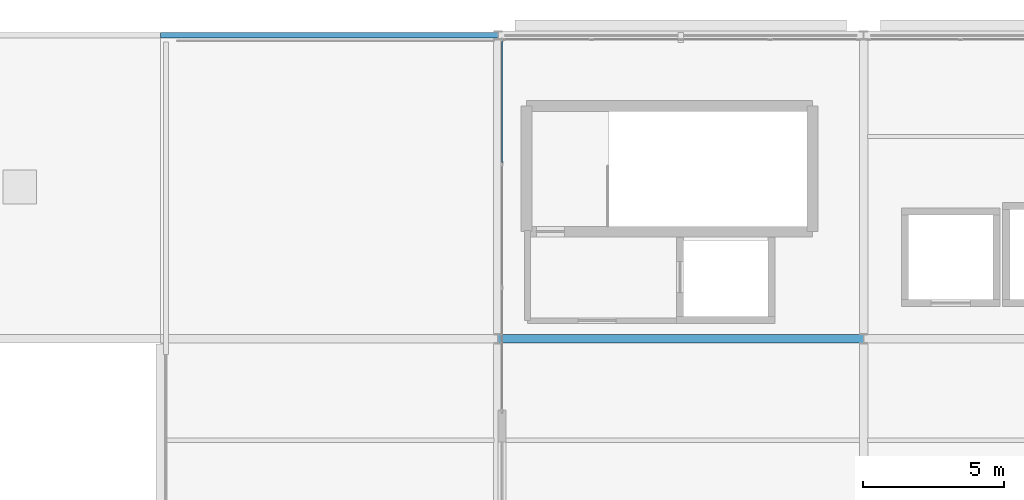
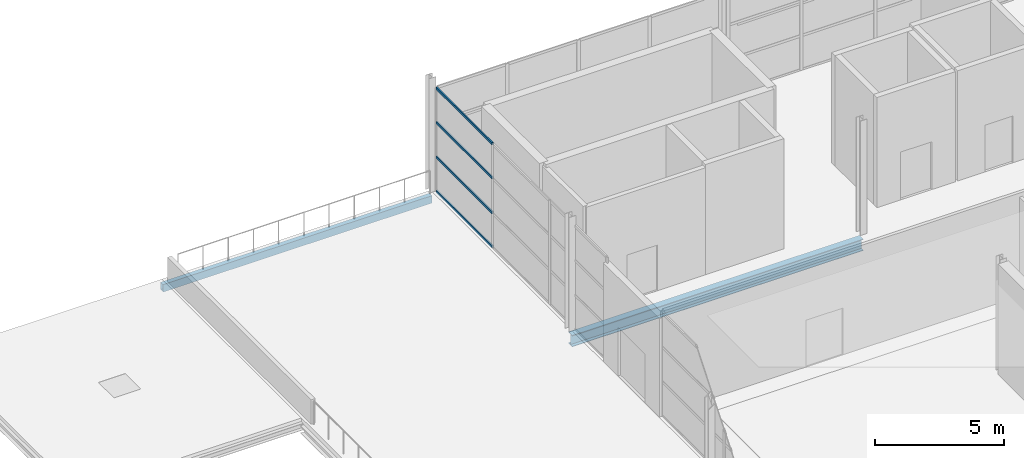
# One storey, part 19 of 34: 4 members, 2 beams, 1 element without a shape of its own.
"""IFC4 building model written with IfcOpenShell, lengths in metres."""

from ifc_helpers import new_model, si_unit, direction, frame, origin, origin_2d, place, context, subcontext, project, spatial, hollow_rectangle, i_section, extrude, material, layer, layer_set, material_profile, profile_set, type_object, element, aggregate, save


model = new_model("IFC4")

# Units and contexts
model_context = context("Model", 3, precision=1e-05, world=origin(), true_north=direction((0.0, 1.0)))
body_context = subcontext(model_context, "Body", "Model", "MODEL_VIEW")
ifc_project = project(units=[si_unit("LENGTHUNIT", "METRE"), si_unit("AREAUNIT", "SQUARE_METRE"), si_unit("VOLUMEUNIT", "CUBIC_METRE"), si_unit("PLANEANGLEUNIT", "RADIAN"), si_unit("MASSUNIT", "GRAM", prefix="KILO")], contexts=[model_context])

# Site, building, storey
site_placement = place(None, origin())
site = spatial("IfcSite", under=ifc_project, at=site_placement, CompositionType="ELEMENT")
building_placement = place(site_placement, origin())
building = spatial("IfcBuilding", under=site, at=building_placement, Name="Tamarisk Ironworks Central Station", CompositionType="ELEMENT")
storey_placement = place(building_placement, frame((0.0, 0.0, 25.199951171875)))
storey = spatial("IfcBuildingStorey", under=building, at=storey_placement, Name="L05", CompositionType="ELEMENT", Elevation=25.199951171875)

# Beams
ifc_material_1 = material(Name="Structural steel S355J2", Category="steel")
ifc_material_profile_1 = material_profile(ifc_material_1, i_section(OverallWidth=0.300048828125, OverallDepth=0.5400390625, WebThickness=0.012451171875, FlangeThickness=0.02392578125, at=origin_2d()), Name="HEA 550")
ifc_profile_set_1 = profile_set([ifc_material_profile_1], Name="Structural steel S355J2")
beam_type_1 = type_object("IfcBeamType", Name="BM-G04", PredefinedType="BEAM", material=ifc_profile_set_1)
beam_1_placement = place(storey_placement, frame((140.00390625, 111.60009765625, -0.489990234375), z_axis=(1.0, 0.0, 0.0), x_axis=(0.0, 1.0, 0.0)))
element("IfcBeam", 1, at=beam_1_placement, inside=storey, type_object=beam_type_1, Name="L05 primary girder X-0762", PredefinedType="BEAM", context=body_context, shape_type="SweptSolid", body=[
    extrude(i_section(OverallWidth=0.300048828125, OverallDepth=0.5400390625, WebThickness=0.012451171875, FlangeThickness=0.02392578125, at=origin_2d()), origin(), (0.0, 0.0, 1.0), 12.9921875),
])
ifc_material_profile_2 = material_profile(ifc_material_1, hollow_rectangle(XDim=0.199951171875, YDim=0.35009765625, WallThickness=0.012451171875, at=origin_2d()), Name="RHS 350x200x12.5")
ifc_profile_set_2 = profile_set([ifc_material_profile_2], Name="Structural steel S355J2")
beam_type_2 = type_object("IfcBeamType", Name="BM-SP01", PredefinedType="SPANDREL", material=ifc_profile_set_2)
beam_2_placement = place(storey_placement, frame((128.00390625, 122.39990234375, -0.375), z_axis=(1.0, 0.0, 0.0), x_axis=(0.0, 1.0, 0.0)))
element("IfcBeam", 2, at=beam_2_placement, inside=storey, type_object=beam_type_2, Name="L05 primary girder X-0766", PredefinedType="SPANDREL", context=body_context, shape_type="SweptSolid", body=[
    extrude(hollow_rectangle(XDim=0.199951171875, YDim=0.35009765625, WallThickness=0.012451171875, at=origin_2d()), origin(), (0.0, 0.0, 1.0), 11.9921875),
])

# Curtain wall, members
ifc_material_2 = material(Name="Anodized aluminium alloy 6063-T6", Category="aluminium")
ifc_layer = layer(ifc_material_2, 0.179931640625)
ifc_layer_set = layer_set([ifc_layer], Name="Anodized aluminium alloy 6063-T6")
curtain_wall_type = type_object("IfcCurtainWallType", Name="CW-20", PredefinedType="USERDEFINED", material=ifc_layer_set)
curtain_wall_placement = place(storey_placement, origin())
curtain_wall = element("IfcCurtainWall", 3, at=curtain_wall_placement, inside=storey, type_object=curtain_wall_type, Name="Crown terrace overlook curtain wall L05-159", ObjectType="GLAZED CURTAIN WALL", PredefinedType="USERDEFINED")
ifc_material_profile_3 = material_profile(ifc_material_2, hollow_rectangle(XDim=0.06005859375, YDim=0.114990234375, WallThickness=0.00341796875, at=origin_2d()), Name="ALUM 115x60")
ifc_profile_set_3 = profile_set([ifc_material_profile_3], Name="Anodized aluminium alloy 6063-T6")
member_type = type_object("IfcMemberType", Name="CWT-03", PredefinedType="USERDEFINED", material=ifc_profile_set_3)
member_1_placement = place(storey_placement, frame((140.14990234375, 117.860595703125, 0.030029296875), z_axis=(0.0, 1.0, 0.0), x_axis=(-1.0, 0.0, 0.0)))
member_1 = element("IfcMember", 4, at=member_1_placement, type_object=member_type, Name="CW20 transom 3.1", ObjectType="TRANSOM", PredefinedType="USERDEFINED", context=body_context, shape_type="SweptSolid", body=[
    extrude(hollow_rectangle(XDim=0.06005859375, YDim=0.114990234375, WallThickness=0.00341796875, at=origin_2d()), origin(), (0.0, 0.0, 1.0), 4.33544921875),
])
member_2_placement = place(storey_placement, frame((140.14990234375, 117.860595703125, 1.64013671875), z_axis=(0.0, 1.0, 0.0), x_axis=(-1.0, 0.0, 0.0)))
member_2 = element("IfcMember", 5, at=member_2_placement, type_object=member_type, Name="CW20 transom 3.2", ObjectType="TRANSOM", PredefinedType="USERDEFINED", context=body_context, shape_type="SweptSolid", body=[
    extrude(hollow_rectangle(XDim=0.06005859375, YDim=0.114990234375, WallThickness=0.00341796875, at=origin_2d()), origin(), (0.0, 0.0, 1.0), 4.33544921875),
])
member_3_placement = place(storey_placement, frame((140.14990234375, 117.860595703125, 3.280029296875), z_axis=(0.0, 1.0, 0.0), x_axis=(-1.0, 0.0, 0.0)))
member_3 = element("IfcMember", 6, at=member_3_placement, type_object=member_type, Name="CW20 transom 3.3", ObjectType="TRANSOM", PredefinedType="USERDEFINED", context=body_context, shape_type="SweptSolid", body=[
    extrude(hollow_rectangle(XDim=0.06005859375, YDim=0.114990234375, WallThickness=0.00341796875, at=origin_2d()), origin(), (0.0, 0.0, 1.0), 4.33544921875),
])
member_4_placement = place(storey_placement, frame((140.14990234375, 117.860595703125, 4.89013671875), z_axis=(0.0, 1.0, 0.0), x_axis=(-1.0, 0.0, 0.0)))
member_4 = element("IfcMember", 7, at=member_4_placement, type_object=member_type, Name="CW20 transom 3.4", ObjectType="TRANSOM", PredefinedType="USERDEFINED", context=body_context, shape_type="SweptSolid", body=[
    extrude(hollow_rectangle(XDim=0.06005859375, YDim=0.114990234375, WallThickness=0.00341796875, at=origin_2d()), origin(), (0.0, 0.0, 1.0), 4.33544921875),
])
aggregate(curtain_wall, [member_1, member_2, member_3, member_4])

save(model, "model.ifc")
